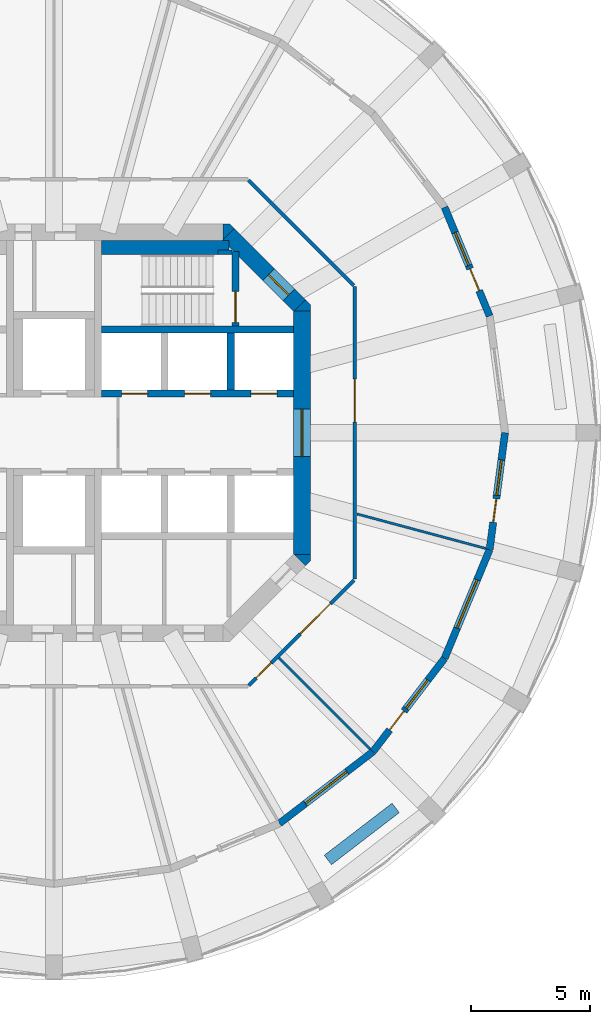
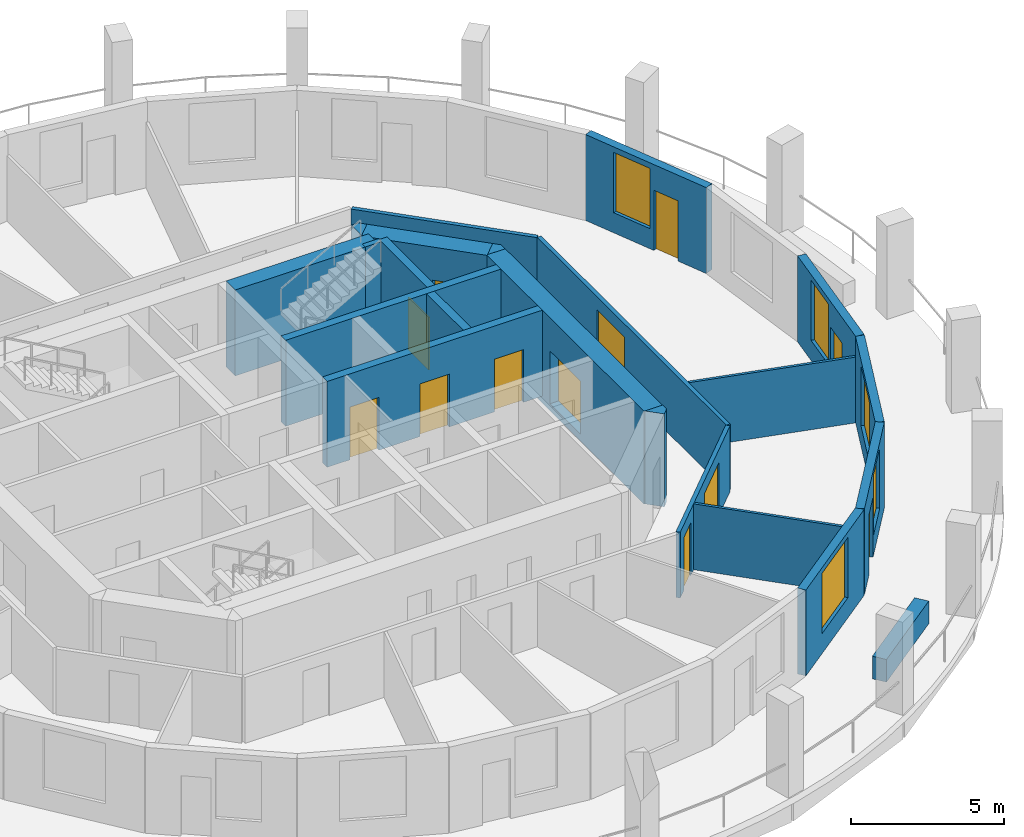
# One storey, part 5 of 9: 22 walls, 12 doors, 5 windows, 17 openings.
"""IFC4 building model written with IfcOpenShell, lengths in metres."""

from ifc_helpers import new_model, si_unit, direction, frame, frame_2d, origin, place, context, subcontext, project, spatial, polyline, rectangle, outline, extrude, material, layer, layer_set, type_object, element, fill, save


model = new_model("IFC4")

# Units and contexts
model_context = context("Model", 3, precision=1e-05, world=origin(), true_north=direction((0.0, 1.0)))
body_context = subcontext(model_context, "Body", "Model", "MODEL_VIEW")
ifc_project = project(units=[si_unit("LENGTHUNIT", "METRE"), si_unit("AREAUNIT", "SQUARE_METRE"), si_unit("VOLUMEUNIT", "CUBIC_METRE"), si_unit("PLANEANGLEUNIT", "RADIAN"), si_unit("MASSUNIT", "GRAM", prefix="KILO")], contexts=[model_context])

# Site, building, storey
site_placement = place(None, origin())
site = spatial("IfcSite", under=ifc_project, at=site_placement, CompositionType="ELEMENT")
building_placement = place(site_placement, origin())
building = spatial("IfcBuilding", under=site, at=building_placement, Name="Torre Triforio", CompositionType="ELEMENT")
storey_placement = place(building_placement, frame((0.0, 0.0, 176.39990234375)))
storey = spatial("IfcBuildingStorey", under=building, at=storey_placement, Name="L40", CompositionType="ELEMENT", Elevation=176.39990234375)

# Wall, opening, door
ifc_material_1 = material(Name="Concrete C50", Category="concrete")
ifc_layer_1 = layer(ifc_material_1, 0.699951171875)
ifc_layer_set_1 = layer_set([ifc_layer_1], Name="Concrete C50")
wall_type_1 = type_object("IfcWallType", Name="Core wall 700 mm C50 EI 120", PredefinedType="SHEAR", material=ifc_layer_set_1)
wall_1_placement = place(storey_placement, frame((10.449951171875, -5.1298828125, -0.27978515625), z_axis=(0.0, 0.0, 1.0), x_axis=(0.0, 1.0, 0.0)))
wall_1 = element("IfcWall", 1, at=wall_1_placement, inside=storey, type_object=wall_type_1, Name="Core wall", PredefinedType="SHEAR", context=body_context, shape_type="SweptSolid", body=[
    extrude(rectangle(XDim=10.259765625, YDim=0.699951171875, at=frame_2d((5.1298828125, 0.0))), origin(), (0.0, 0.0, 1.0), 3.699951171875),
])
opening_1_placement = place(wall_1_placement, frame((4.1298828125, 0.0, 0.280029296875)))
opening_1 = element("IfcOpeningElement", 2, at=opening_1_placement, cuts=wall_1, Name="Opening E-RING", PredefinedType="OPENING", context=body_context, shape_type="SweptSolid", body=[
    extrude(rectangle(XDim=2.0, YDim=2.10009765625, at=frame_2d((1.0, 1.050048828125))), frame((0.0, 0.35986328125, 0.0), z_axis=(0.0, -1.0, 0.0), x_axis=(1.0, 0.0, 0.0)), (0.0, 0.0, 1.0), 0.719970703125),
])
ifc_material_2 = material(Name="Hollow metal fire door leaf")
door_type_1 = type_object("IfcDoorType", Name="Lobby door 2000 x 2100 EI 60", OperationType="DOUBLE_DOOR_SINGLE_SWING", PredefinedType="DOOR", material=ifc_material_2)
door_1_placement = place(opening_1_placement, origin())
door_1 = element("IfcDoor", 3, at=door_1_placement, inside=storey, type_object=door_type_1, Name="Core door E-RING", OperationType="DOUBLE_DOOR_SINGLE_SWING", OverallHeight=2.10009765625, OverallWidth=2.0, PredefinedType="DOOR", context=body_context, shape_type="SweptSolid", body=[
    extrude(rectangle(XDim=2.0, YDim=2.10009765625, at=frame_2d((1.0, 1.050048828125))), frame((0.0, 0.02490234375, 0.0), z_axis=(0.0, -1.0, 0.0), x_axis=(1.0, 0.0, 0.0)), (0.0, 0.0, 1.0), 0.050048828125),
])
fill(opening_1, door_1)

wall_2_placement = place(storey_placement, frame((7.347412109375, 8.347412109375, -0.27978515625), z_axis=(0.0, 0.0, 1.0), x_axis=(0.707106781187, -0.707106781187, 0.0)))
wall_2 = element("IfcWall", 4, at=wall_2_placement, inside=storey, type_object=wall_type_1, Name="Core wall", PredefinedType="SHEAR", context=body_context, shape_type="SweptSolid", body=[
    extrude(rectangle(XDim=4.24267578125, YDim=0.699951171875, at=frame_2d((2.121337890625, 0.0))), origin(), (0.0, 0.0, 1.0), 3.699951171875),
])
opening_2_placement = place(wall_2_placement, frame((2.392578125, 0.0, 0.280029296875)))
opening_2 = element("IfcOpeningElement", 5, at=opening_2_placement, cuts=wall_2, Name="Opening ST2-EXIT", PredefinedType="OPENING", context=body_context, shape_type="SweptSolid", body=[
    extrude(rectangle(XDim=1.199951171875, YDim=2.10009765625, at=frame_2d((0.60009765625, 1.050048828125))), frame((0.0, 0.35986328125, 0.0), z_axis=(0.0, -1.0, 0.0), x_axis=(1.0, 0.0, 0.0)), (0.0, 0.0, 1.0), 0.719970703125),
])
door_type_2 = type_object("IfcDoorType", Name="Stair lobby door 1200 x 2100 EI 60", OperationType="NOTDEFINED", PredefinedType="DOOR", material=ifc_material_2)
door_2_placement = place(opening_2_placement, origin())
door_2 = element("IfcDoor", 6, at=door_2_placement, inside=storey, type_object=door_type_2, Name="Core door ST2-EXIT", OperationType="SINGLE_SWING_RIGHT", OverallHeight=2.10009765625, OverallWidth=1.199951171875, PredefinedType="DOOR", context=body_context, shape_type="SweptSolid", body=[
    extrude(rectangle(XDim=1.199951171875, YDim=2.10009765625, at=frame_2d((0.60009765625, 1.050048828125))), frame((0.0, 0.02490234375, 0.0), z_axis=(0.0, -1.0, 0.0), x_axis=(1.0, 0.0, 0.0)), (0.0, 0.0, 1.0), 0.050048828125),
])
fill(opening_2, door_2)

# Walls
wall_3_placement = place(storey_placement, frame((0.0, 0.0, -0.27978515625)))
element("IfcWall", 7, at=wall_3_placement, inside=storey, type_object=wall_type_1, Name="Core wall", PredefinedType="SHEAR", context=body_context, shape_type="SweptSolid", body=[
    extrude(outline(polyline([(10.800048828125, -5.389892578125), (10.594970703125, -5.594970703125), (10.594970703125, -5.594970703125), (10.594970703125, -5.594970703125), (10.1298828125, -5.1298828125), (10.800048828125, -5.1298828125), (10.800048828125, -5.1298828125), (10.800048828125, -5.389892578125)])), origin(), (0.0, 0.0, 1.0), 3.699951171875),
])
wall_4_placement = place(storey_placement, frame((0.0, 0.0, -0.27978515625)))
element("IfcWall", 8, at=wall_4_placement, inside=storey, type_object=wall_type_1, Name="Core wall", PredefinedType="SHEAR", context=body_context, shape_type="SweptSolid", body=[
    extrude(outline(polyline([(10.800048828125, 5.389892578125), (10.800048828125, 5.1298828125), (10.800048828125, 5.1298828125), (10.1298828125, 5.1298828125), (10.594970703125, 5.594970703125), (10.594970703125, 5.594970703125), (10.594970703125, 5.594970703125), (10.800048828125, 5.389892578125)])), origin(), (0.0, 0.0, 1.0), 3.699951171875),
])
wall_5_placement = place(storey_placement, frame((0.0, 0.0, -0.27978515625)))
element("IfcWall", 9, at=wall_5_placement, inside=storey, type_object=wall_type_1, Name="Core wall", PredefinedType="SHEAR", context=body_context, shape_type="SweptSolid", body=[
    extrude(outline(polyline([(7.389892578125, 8.800048828125), (7.594970703125, 8.594970703125), (7.594970703125, 8.594970703125), (7.594970703125, 8.594970703125), (7.1298828125, 8.1298828125), (7.1298828125, 8.800048828125), (7.1298828125, 8.800048828125), (7.389892578125, 8.800048828125)])), origin(), (0.0, 0.0, 1.0), 3.699951171875),
])

# Wall, openings, doors
ifc_material_3 = material(Name="Plasterboard on metal studs")
ifc_layer_2 = layer(ifc_material_3, 0.14990234375)
ifc_layer_set_2 = layer_set([ifc_layer_2], Name="Plasterboard on metal studs")
wall_type_2 = type_object("IfcWallType", Name="Corridor and tenancy wall 150 mm EI 60", PredefinedType="PARTITIONING", material=ifc_layer_set_2)
wall_6_placement = place(storey_placement, frame((12.637939453125, -6.20361328125, 0.0), z_axis=(0.0, 0.0, 1.0), x_axis=(-0.707106781187, -0.707106781187, 0.0)))
wall_6 = element("IfcWall", 10, at=wall_6_placement, inside=storey, type_object=wall_type_2, Name="Partition 1", PredefinedType="PARTITIONING", context=body_context, shape_type="SweptSolid", body=[
    extrude(rectangle(XDim=6.27099609375, YDim=0.14990234375, at=frame_2d((3.135498046875, 0.0))), origin(), (0.0, 0.0, 1.0), 2.6201171875),
])
opening_3_placement = place(wall_6_placement, frame((4.935302734375, 0.0, 0.0)))
opening_3 = element("IfcOpeningElement", 11, at=opening_3_placement, cuts=wall_6, Name="Opening O3-08", PredefinedType="OPENING", context=body_context, shape_type="SweptSolid", body=[
    extrude(rectangle(XDim=0.89990234375, YDim=2.10009765625, at=frame_2d((0.449951171875, 1.050048828125))), frame((0.0, 0.0849609375, 0.0), z_axis=(0.0, -1.0, 0.0), x_axis=(1.0, 0.0, 0.0)), (0.0, 0.0, 1.0), 0.169921875),
])
opening_4_placement = place(wall_6_placement, frame((1.39990234375, 0.0, 0.0)))
opening_4 = element("IfcOpeningElement", 12, at=opening_4_placement, cuts=wall_6, Name="Opening O3-09", PredefinedType="OPENING", context=body_context, shape_type="SweptSolid", body=[
    extrude(rectangle(XDim=1.800048828125, YDim=2.10009765625, at=frame_2d((0.89990234375, 1.050048828125))), frame((0.0, 0.0849609375, 0.0), z_axis=(0.0, -1.0, 0.0), x_axis=(1.0, 0.0, 0.0)), (0.0, 0.0, 1.0), 0.169921875),
])
ifc_material_4 = material(Name="Timber", Category="wood")
door_type_3 = type_object("IfcDoorType", Name="Door 1800 x 2100 double leaf EI 30", OperationType="DOUBLE_DOOR_SINGLE_SWING", PredefinedType="DOOR", material=ifc_material_4)
door_3_placement = place(opening_4_placement, origin())
door_3 = element("IfcDoor", 13, at=door_3_placement, inside=storey, type_object=door_type_3, Name="Door O3-09", OperationType="DOUBLE_DOOR_SINGLE_SWING", OverallHeight=2.10009765625, OverallWidth=1.800048828125, PredefinedType="DOOR", context=body_context, shape_type="SweptSolid", body=[
    extrude(rectangle(XDim=1.800048828125, YDim=2.10009765625, at=frame_2d((0.89990234375, 1.050048828125))), frame((0.0, 0.02490234375, 0.0), z_axis=(0.0, -1.0, 0.0), x_axis=(1.0, 0.0, 0.0)), (0.0, 0.0, 1.0), 0.050048828125),
])
fill(opening_4, door_3)
door_type_4 = type_object("IfcDoorType", Name="Door 900 x 2100 single leaf EI 30", OperationType="NOTDEFINED", PredefinedType="DOOR", material=ifc_material_4)
door_4_placement = place(opening_3_placement, origin())
door_4 = element("IfcDoor", 14, at=door_4_placement, inside=storey, type_object=door_type_4, Name="Door O3-08", OperationType="SINGLE_SWING_LEFT", OverallHeight=2.10009765625, OverallWidth=0.89990234375, PredefinedType="DOOR", context=body_context, shape_type="SweptSolid", body=[
    extrude(rectangle(XDim=0.89990234375, YDim=2.10009765625, at=frame_2d((0.449951171875, 1.050048828125))), frame((0.0, 0.02490234375, 0.0), z_axis=(0.0, -1.0, 0.0), x_axis=(1.0, 0.0, 0.0)), (0.0, 0.0, 1.0), 0.050048828125),
])
fill(opening_3, door_4)

# Wall
wall_7_placement = place(storey_placement, frame((8.20361328125, 10.637939453125, 0.0), z_axis=(0.0, 0.0, 1.0), x_axis=(0.707106781187, -0.707106781187, 0.0)))
element("IfcWall", 15, at=wall_7_placement, inside=storey, type_object=wall_type_2, Name="Partition 7", PredefinedType="PARTITIONING", context=body_context, shape_type="SweptSolid", body=[
    extrude(rectangle(XDim=6.27099609375, YDim=0.14990234375, at=frame_2d((3.135498046875, 0.0))), origin(), (0.0, 0.0, 1.0), 2.6201171875),
])

# Wall, opening, door
wall_8_placement = place(storey_placement, frame((12.675048828125, 6.16650390625, 0.0), z_axis=(0.0, 0.0, 1.0), x_axis=(0.0, -1.0, 0.0)))
wall_8 = element("IfcWall", 16, at=wall_8_placement, inside=storey, type_object=wall_type_2, Name="Partition 8", PredefinedType="PARTITIONING", context=body_context, shape_type="SweptSolid", body=[
    extrude(rectangle(XDim=12.3330078125, YDim=0.14990234375, at=frame_2d((6.16650390625, 0.0))), origin(), (0.0, 0.0, 1.0), 2.6201171875),
])
opening_5_placement = place(wall_8_placement, frame((3.9072265625, 0.0, 0.0)))
opening_5 = element("IfcOpeningElement", 17, at=opening_5_placement, cuts=wall_8, Name="Opening O3-10", PredefinedType="OPENING", context=body_context, shape_type="SweptSolid", body=[
    extrude(rectangle(XDim=1.800048828125, YDim=2.10009765625, at=frame_2d((0.89990234375, 1.050048828125))), frame((0.0, 0.0849609375, 0.0), z_axis=(0.0, -1.0, 0.0), x_axis=(1.0, 0.0, 0.0)), (0.0, 0.0, 1.0), 0.169921875),
])
door_5_placement = place(opening_5_placement, origin())
door_5 = element("IfcDoor", 18, at=door_5_placement, inside=storey, type_object=door_type_3, Name="Door O3-10", OperationType="DOUBLE_DOOR_SINGLE_SWING", OverallHeight=2.10009765625, OverallWidth=1.800048828125, PredefinedType="DOOR", context=body_context, shape_type="SweptSolid", body=[
    extrude(rectangle(XDim=1.800048828125, YDim=2.10009765625, at=frame_2d((0.89990234375, 1.050048828125))), frame((0.0, 0.02490234375, 0.0), z_axis=(0.0, -1.0, 0.0), x_axis=(1.0, 0.0, 0.0)), (0.0, 0.0, 1.0), 0.050048828125),
])
fill(opening_5, door_5)

# Walls
ifc_layer_3 = layer(ifc_material_3, 0.10009765625)
ifc_layer_set_3 = layer_set([ifc_layer_3], Name="Plasterboard on metal studs")
wall_type_3 = type_object("IfcWallType", Name="Partition 100 mm board on metal studs", PredefinedType="PARTITIONING", material=ifc_layer_set_3)
wall_9_placement = place(storey_placement, frame((9.473876953125, -9.473876953125, 0.0), z_axis=(0.0, 0.0, 1.0), x_axis=(0.707106781187, -0.707106781187, 0.0)))
element("IfcWall", 19, at=wall_9_placement, inside=storey, type_object=wall_type_3, Name="Partition 22", PredefinedType="PARTITIONING", context=body_context, shape_type="SweptSolid", body=[
    extrude(rectangle(XDim=5.438720703125, YDim=0.10009765625, at=frame_2d((2.71923828125, 0.0))), origin(), (0.0, 0.0, 1.0), 2.6201171875),
])
wall_10_placement = place(storey_placement, frame((12.764404296875, -3.420166015625, 0.0), z_axis=(0.0, 0.0, 1.0), x_axis=(0.965925759926, -0.258819292773, 0.0)))
element("IfcWall", 20, at=wall_10_placement, inside=storey, type_object=wall_type_3, Name="Partition 23", PredefinedType="PARTITIONING", context=body_context, shape_type="SweptSolid", body=[
    extrude(rectangle(XDim=5.6220703125, YDim=0.10009765625, at=frame_2d((2.81103515625, 0.0))), origin(), (0.0, 0.0, 1.0), 2.6201171875),
])
ifc_material_5 = material(Name="Limestone cladding", Category="masonry")
ifc_layer_4 = layer(ifc_material_5, 0.10009765625)
ifc_material_6 = material(Name="Concrete C40", Category="concrete")
ifc_layer_5 = layer(ifc_material_6, 0.39990234375)
ifc_layer_set_4 = layer_set([ifc_layer_4, ifc_layer_5], Name="Limestone cladding / Concrete C40")
wall_type_4 = type_object("IfcWallType", Name="Planter wall 500", PredefinedType="PARAPET", material=ifc_layer_set_4)
wall_11_placement = place(storey_placement, frame((11.53857421875, -17.994140625, 0.0), z_axis=(0.0, 0.0, 1.0), x_axis=(0.793384730612, 0.608720518162, 0.0)))
element("IfcWall", 21, at=wall_11_placement, inside=storey, type_object=wall_type_4, Name="Planter L40 bay 21", PredefinedType="PARAPET", context=body_context, shape_type="SweptSolid", body=[
    extrude(rectangle(XDim=3.60009765625, YDim=0.5, at=frame_2d((1.800048828125, 0.0))), origin(), (0.0, 0.0, 1.0), 0.900146484375),
])
ifc_layer_6 = layer(ifc_material_1, 0.300048828125)
ifc_layer_set_5 = layer_set([ifc_layer_6], Name="Concrete C50")
wall_type_5 = type_object("IfcWallType", Name="Shaft wall 300 mm C50 EI 120", PredefinedType="SOLIDWALL", material=ifc_layer_set_5)
wall_12_placement = place(storey_placement, frame((2.0, 4.35009765625, 0.0), z_axis=(0.0, 0.0, 1.0), x_axis=(1.0, 0.0, 0.0)))
element("IfcWall", 22, at=wall_12_placement, inside=storey, type_object=wall_type_5, Name="Shaft wall", PredefinedType="SOLIDWALL", context=body_context, shape_type="SweptSolid", body=[
    extrude(rectangle(XDim=8.10009765625, YDim=0.300048828125, at=frame_2d((4.050048828125, 0.0))), origin(), (0.0, 0.0, 1.0), 3.420166015625),
])

# Wall, openings, doors
wall_13_placement = place(storey_placement, frame((2.0, 1.64990234375, 0.0), z_axis=(0.0, 0.0, 1.0), x_axis=(1.0, 0.0, 0.0)))
wall_13 = element("IfcWall", 23, at=wall_13_placement, inside=storey, type_object=wall_type_5, Name="Shaft wall", PredefinedType="SOLIDWALL", context=body_context, shape_type="SweptSolid", body=[
    extrude(rectangle(XDim=8.10009765625, YDim=0.300048828125, at=frame_2d((4.050048828125, 0.0))), origin(), (0.0, 0.0, 1.0), 3.420166015625),
])
opening_6_placement = place(wall_13_placement, frame((0.85009765625, 0.0, 0.0)))
opening_6 = element("IfcOpeningElement", 24, at=opening_6_placement, cuts=wall_13, Name="Opening LD", PredefinedType="OPENING", context=body_context, shape_type="SweptSolid", body=[
    extrude(rectangle(XDim=1.10009765625, YDim=2.10009765625, at=frame_2d((0.550048828125, 1.050048828125))), frame((0.0, 0.159912109375, 0.0), z_axis=(0.0, -1.0, 0.0), x_axis=(1.0, 0.0, 0.0)), (0.0, 0.0, 1.0), 0.320068359375),
])
opening_7_placement = place(wall_13_placement, frame((3.5, 0.0, 0.0)))
opening_7 = element("IfcOpeningElement", 25, at=opening_7_placement, cuts=wall_13, Name="Opening LD", PredefinedType="OPENING", context=body_context, shape_type="SweptSolid", body=[
    extrude(rectangle(XDim=1.10009765625, YDim=2.10009765625, at=frame_2d((0.550048828125, 1.050048828125))), frame((0.0, 0.159912109375, 0.0), z_axis=(0.0, -1.0, 0.0), x_axis=(1.0, 0.0, 0.0)), (0.0, 0.0, 1.0), 0.320068359375),
])
opening_8_placement = place(wall_13_placement, frame((6.300048828125, 0.0, 0.0)))
opening_8 = element("IfcOpeningElement", 26, at=opening_8_placement, cuts=wall_13, Name="Opening LD", PredefinedType="OPENING", context=body_context, shape_type="SweptSolid", body=[
    extrude(rectangle(XDim=1.10009765625, YDim=2.10009765625, at=frame_2d((0.550048828125, 1.050048828125))), frame((0.0, 0.159912109375, 0.0), z_axis=(0.0, -1.0, 0.0), x_axis=(1.0, 0.0, 0.0)), (0.0, 0.0, 1.0), 0.320068359375),
])
door_type_5 = type_object("IfcDoorType", Name="Landing door 1100 x 2100 EI 60", OperationType="DOUBLE_DOOR_SLIDING", PredefinedType="DOOR", material=ifc_material_2)
door_6_placement = place(opening_6_placement, origin())
door_6 = element("IfcDoor", 27, at=door_6_placement, inside=storey, type_object=door_type_5, Name="Landing door HR1", OperationType="DOUBLE_DOOR_SLIDING", OverallHeight=2.10009765625, OverallWidth=1.10009765625, PredefinedType="DOOR", context=body_context, shape_type="SweptSolid", body=[
    extrude(rectangle(XDim=1.10009765625, YDim=2.10009765625, at=frame_2d((0.550048828125, 1.050048828125))), frame((0.0, 0.02490234375, 0.0), z_axis=(0.0, -1.0, 0.0), x_axis=(1.0, 0.0, 0.0)), (0.0, 0.0, 1.0), 0.050048828125),
])
fill(opening_6, door_6)
door_7_placement = place(opening_7_placement, origin())
door_7 = element("IfcDoor", 28, at=door_7_placement, inside=storey, type_object=door_type_5, Name="Landing door HR2", OperationType="DOUBLE_DOOR_SLIDING", OverallHeight=2.10009765625, OverallWidth=1.10009765625, PredefinedType="DOOR", context=body_context, shape_type="SweptSolid", body=[
    extrude(rectangle(XDim=1.10009765625, YDim=2.10009765625, at=frame_2d((0.550048828125, 1.050048828125))), frame((0.0, 0.02490234375, 0.0), z_axis=(0.0, -1.0, 0.0), x_axis=(1.0, 0.0, 0.0)), (0.0, 0.0, 1.0), 0.050048828125),
])
fill(opening_7, door_7)
door_8_placement = place(opening_8_placement, origin())
door_8 = element("IfcDoor", 29, at=door_8_placement, inside=storey, type_object=door_type_5, Name="Landing door HR3", OperationType="DOUBLE_DOOR_SLIDING", OverallHeight=2.10009765625, OverallWidth=1.10009765625, PredefinedType="DOOR", context=body_context, shape_type="SweptSolid", body=[
    extrude(rectangle(XDim=1.10009765625, YDim=2.10009765625, at=frame_2d((0.550048828125, 1.050048828125))), frame((0.0, 0.02490234375, 0.0), z_axis=(0.0, -1.0, 0.0), x_axis=(1.0, 0.0, 0.0)), (0.0, 0.0, 1.0), 0.050048828125),
])
fill(opening_8, door_8)

# Walls
wall_14_placement = place(storey_placement, frame((7.449951171875, 1.800048828125, 0.0), z_axis=(0.0, 0.0, 1.0), x_axis=(0.0, 1.0, 0.0)))
element("IfcWall", 30, at=wall_14_placement, inside=storey, type_object=wall_type_5, Name="Shaft wall", PredefinedType="SOLIDWALL", context=body_context, shape_type="SweptSolid", body=[
    extrude(rectangle(XDim=2.39990234375, YDim=0.300048828125, at=frame_2d((1.199951171875, 0.0))), origin(), (0.0, 0.0, 1.0), 3.420166015625),
])
ifc_layer_7 = layer(ifc_material_1, 0.199951171875)
ifc_layer_set_6 = layer_set([ifc_layer_7], Name="Concrete C50")
wall_type_6 = type_object("IfcWallType", Name="Stair wall 200 mm C50 EI 120", PredefinedType="SHEAR", material=ifc_layer_set_6)
wall_15_placement = place(storey_placement, frame((6.89990234375, 7.60009765625, 0.0), z_axis=(0.0, 0.0, 1.0), x_axis=(1.0, 0.0, 0.0)))
element("IfcWall", 31, at=wall_15_placement, inside=storey, type_object=wall_type_6, Name="Stair wall", PredefinedType="SHEAR", context=body_context, shape_type="SweptSolid", body=[
    extrude(rectangle(XDim=0.60009765625, YDim=0.199951171875, at=frame_2d((0.300048828125, 0.0))), origin(), (0.0, 0.0, 1.0), 3.420166015625),
])

# Wall, opening, door
ifc_layer_8 = layer(ifc_material_1, 0.300048828125)
ifc_layer_set_7 = layer_set([ifc_layer_8], Name="Concrete C50")
wall_type_7 = type_object("IfcWallType", Name="Stair wall 300 mm C50 EI 120", PredefinedType="SHEAR", material=ifc_layer_set_7)
wall_16_placement = place(storey_placement, frame((7.64990234375, 4.5, 0.0), z_axis=(0.0, 0.0, 1.0), x_axis=(0.0, 1.0, 0.0)))
wall_16 = element("IfcWall", 32, at=wall_16_placement, inside=storey, type_object=wall_type_7, Name="Stair wall", PredefinedType="SHEAR", context=body_context, shape_type="SweptSolid", body=[
    extrude(rectangle(XDim=3.139892578125, YDim=0.300048828125, at=frame_2d((1.56982421875, 0.0))), origin(), (0.0, 0.0, 1.0), 3.420166015625),
])
opening_9_placement = place(wall_16_placement, frame((0.139892578125, 0.0, 0.0)))
opening_9 = element("IfcOpeningElement", 33, at=opening_9_placement, cuts=wall_16, Name="Opening ST2-STA", PredefinedType="OPENING", context=body_context, shape_type="SweptSolid", body=[
    extrude(rectangle(XDim=1.320068359375, YDim=2.10009765625, at=frame_2d((0.66015625, 1.050048828125))), frame((0.0, 0.159912109375, 0.0), z_axis=(0.0, -1.0, 0.0), x_axis=(1.0, 0.0, 0.0)), (0.0, 0.0, 1.0), 0.320068359375),
])
door_type_6 = type_object("IfcDoorType", Name="Stair door 1320 x 2100 EI 90", OperationType="DOUBLE_DOOR_SINGLE_SWING", PredefinedType="DOOR", material=ifc_material_2)
door_9_placement = place(opening_9_placement, origin())
door_9 = element("IfcDoor", 34, at=door_9_placement, inside=storey, type_object=door_type_6, Name="Core door ST2-ST", OperationType="DOUBLE_DOOR_SINGLE_SWING", OverallHeight=2.10009765625, OverallWidth=1.320068359375, PredefinedType="DOOR", context=body_context, shape_type="SweptSolid", body=[
    extrude(rectangle(XDim=1.320068359375, YDim=2.10009765625, at=frame_2d((0.66015625, 1.050048828125))), frame((0.0, 0.02490234375, 0.0), z_axis=(0.0, -1.0, 0.0), x_axis=(1.0, 0.0, 0.0)), (0.0, 0.0, 1.0), 0.050048828125),
])
fill(opening_9, door_9)

# Wall
ifc_layer_9 = layer(ifc_material_1, 0.60009765625)
ifc_layer_set_8 = layer_set([ifc_layer_9], Name="Concrete C50")
wall_type_8 = type_object("IfcWallType", Name="Stair wall 600 mm C50 EI 120", PredefinedType="SHEAR", material=ifc_layer_set_8)
wall_17_placement = place(storey_placement, frame((2.0, 7.800048828125, 0.0), z_axis=(0.0, 0.0, 1.0), x_axis=(1.0, 0.0, 0.0)))
element("IfcWall", 35, at=wall_17_placement, inside=storey, type_object=wall_type_8, Name="Stair wall", PredefinedType="SHEAR", context=body_context, shape_type="SweptSolid", body=[
    extrude(rectangle(XDim=5.3701171875, YDim=0.60009765625, at=frame_2d((2.68505859375, 0.0))), origin(), (0.0, 0.0, 1.0), 3.420166015625),
])

# Wall, openings, door, window
ifc_layer_10 = layer(ifc_material_5, 0.10009765625)
ifc_layer_11 = layer(ifc_material_6, 0.199951171875)
ifc_layer_set_9 = layer_set([ifc_layer_10, ifc_layer_11], Name="Limestone cladding / Concrete C40")
wall_type_9 = type_object("IfcWallType", Name="Stone-faced composite wall 300", PredefinedType="STANDARD", material=ifc_layer_set_9)
wall_18_placement = place(storey_placement, frame((18.3525390625, 4.91748046875, 0.0), z_axis=(0.0, 0.0, 1.0), x_axis=(-0.382650301762, 0.923893254961, 0.0)))
wall_18 = element("IfcWall", 36, at=wall_18_placement, inside=storey, type_object=wall_type_9, Name="External wall L40 bay 02", PredefinedType="STANDARD", context=body_context, shape_type="SweptSolid", body=[
    extrude(rectangle(XDim=4.9599609375, YDim=0.300048828125, at=frame_2d((2.47998046875, 0.0))), origin(), (0.0, 0.0, 1.0), 3.420166015625),
])
opening_10_placement = place(wall_18_placement, frame((1.155029296875, 0.0, 0.0)))
opening_10 = element("IfcOpeningElement", 37, at=opening_10_placement, cuts=wall_18, Name="Opening O3-D02", PredefinedType="OPENING", context=body_context, shape_type="SweptSolid", body=[
    extrude(rectangle(XDim=1.0, YDim=2.39990234375, at=frame_2d((0.5, 1.199951171875))), frame((0.0, 0.159912109375, 0.0), z_axis=(0.0, -1.0, 0.0), x_axis=(1.0, 0.0, 0.0)), (0.0, 0.0, 1.0), 0.320068359375),
])
opening_11_placement = place(wall_18_placement, frame((2.304931640625, 0.0, 0.800048828125)))
opening_11 = element("IfcOpeningElement", 38, at=opening_11_placement, cuts=wall_18, Name="Opening O3-W02A", PredefinedType="OPENING", context=body_context, shape_type="SweptSolid", body=[
    extrude(rectangle(XDim=1.5, YDim=2.39990234375, at=frame_2d((0.75, 1.199951171875))), frame((0.0, 0.159912109375, 0.0), z_axis=(0.0, -1.0, 0.0), x_axis=(1.0, 0.0, 0.0)), (0.0, 0.0, 1.0), 0.320068359375),
])
ifc_material_7 = material(Name="Aluminium frame with clear double glazing", Category="aluminium")
door_type_7 = type_object("IfcDoorType", Name="Loggia door 1000 x 2400", OperationType="NOTDEFINED", PredefinedType="DOOR", material=ifc_material_7)
door_10_placement = place(opening_10_placement, origin())
door_10 = element("IfcDoor", 39, at=door_10_placement, inside=storey, type_object=door_type_7, Name="Loggia door L40 bay 02", OperationType="SINGLE_SWING_LEFT", OverallHeight=2.39990234375, OverallWidth=1.0, PredefinedType="DOOR", context=body_context, shape_type="SweptSolid", body=[
    extrude(rectangle(XDim=1.0, YDim=2.39990234375, at=frame_2d((0.5, 1.199951171875))), frame((0.0, 0.02490234375, 0.0), z_axis=(0.0, -1.0, 0.0), x_axis=(1.0, 0.0, 0.0)), (0.0, 0.0, 1.0), 0.050048828125),
])
fill(opening_10, door_10)
window_type_1 = type_object("IfcWindowType", Name="Side window 1500 x 2400", PartitioningType="SINGLE_PANEL", PredefinedType="WINDOW", material=ifc_material_7)
window_1_placement = place(opening_11_placement, origin())
window_1 = element("IfcWindow", 40, at=window_1_placement, inside=storey, type_object=window_type_1, Name="Side window EWN14 L40 bay 02", OverallHeight=2.39990234375, OverallWidth=1.5, PartitioningType="SINGLE_PANEL", PredefinedType="WINDOW", context=body_context, shape_type="SweptSolid", body=[
    extrude(rectangle(XDim=1.5, YDim=2.39990234375, at=frame_2d((0.75, 1.199951171875))), frame((0.0, 0.030029296875, 0.0), z_axis=(0.0, -1.0, 0.0), x_axis=(1.0, 0.0, 0.0)), (0.0, 0.0, 1.0), 0.06005859375),
])
fill(opening_11, window_1)

# Wall, opening, window
wall_19_placement = place(storey_placement, frame((9.5, -16.45458984375, 0.0), z_axis=(0.0, 0.0, 1.0), x_axis=(0.793348024649, 0.608768356425, 0.0)))
wall_19 = element("IfcWall", 41, at=wall_19_placement, inside=storey, type_object=wall_type_9, Name="External wall L40 bay 21", PredefinedType="STANDARD", context=body_context, shape_type="SweptSolid", body=[
    extrude(rectangle(XDim=4.9599609375, YDim=0.300048828125, at=frame_2d((2.47998046875, 0.0))), origin(), (0.0, 0.0, 1.0), 3.420166015625),
])
opening_12_placement = place(wall_19_placement, frame((1.3798828125, 0.0, 0.800048828125)))
opening_12 = element("IfcOpeningElement", 42, at=opening_12_placement, cuts=wall_19, Name="Opening O3-W21", PredefinedType="OPENING", context=body_context, shape_type="SweptSolid", body=[
    extrude(rectangle(XDim=2.199951171875, YDim=2.39990234375, at=frame_2d((1.10009765625, 1.199951171875))), frame((0.0, 0.159912109375, 0.0), z_axis=(0.0, -1.0, 0.0), x_axis=(1.0, 0.0, 0.0)), (0.0, 0.0, 1.0), 0.320068359375),
])
window_type_2 = type_object("IfcWindowType", Name="Punched window 2200 x 2400", PartitioningType="DOUBLE_PANEL_VERTICAL", PredefinedType="WINDOW", material=ifc_material_7)
window_2_placement = place(opening_12_placement, origin())
window_2 = element("IfcWindow", 43, at=window_2_placement, inside=storey, type_object=window_type_2, Name="Window EWN5 L40 bay 21", OverallHeight=2.39990234375, OverallWidth=2.199951171875, PartitioningType="SINGLE_PANEL", PredefinedType="WINDOW", context=body_context, shape_type="SweptSolid", body=[
    extrude(rectangle(XDim=2.199951171875, YDim=2.39990234375, at=frame_2d((1.10009765625, 1.199951171875))), frame((0.0, 0.030029296875, 0.0), z_axis=(0.0, -1.0, 0.0), x_axis=(1.0, 0.0, 0.0)), (0.0, 0.0, 1.0), 0.06005859375),
])
fill(opening_12, window_2)

# Wall, openings, door, window
wall_20_placement = place(storey_placement, frame((13.43505859375, -13.43505859375, 0.0), z_axis=(0.0, 0.0, 1.0), x_axis=(0.608768356425, 0.793348024649, 0.0)))
wall_20 = element("IfcWall", 44, at=wall_20_placement, inside=storey, type_object=wall_type_9, Name="External wall L40 bay 22", PredefinedType="STANDARD", context=body_context, shape_type="SweptSolid", body=[
    extrude(rectangle(XDim=4.9599609375, YDim=0.300048828125, at=frame_2d((2.47998046875, 0.0))), origin(), (0.0, 0.0, 1.0), 3.420166015625),
])
opening_13_placement = place(wall_20_placement, frame((1.155029296875, 0.0, 0.0)))
opening_13 = element("IfcOpeningElement", 45, at=opening_13_placement, cuts=wall_20, Name="Opening O3-D22", PredefinedType="OPENING", context=body_context, shape_type="SweptSolid", body=[
    extrude(rectangle(XDim=1.0, YDim=2.39990234375, at=frame_2d((0.5, 1.199951171875))), frame((0.0, 0.159912109375, 0.0), z_axis=(0.0, -1.0, 0.0), x_axis=(1.0, 0.0, 0.0)), (0.0, 0.0, 1.0), 0.320068359375),
])
opening_14_placement = place(wall_20_placement, frame((2.304931640625, 0.0, 0.800048828125)))
opening_14 = element("IfcOpeningElement", 46, at=opening_14_placement, cuts=wall_20, Name="Opening O3-W22A", PredefinedType="OPENING", context=body_context, shape_type="SweptSolid", body=[
    extrude(rectangle(XDim=1.5, YDim=2.39990234375, at=frame_2d((0.75, 1.199951171875))), frame((0.0, 0.159912109375, 0.0), z_axis=(0.0, -1.0, 0.0), x_axis=(1.0, 0.0, 0.0)), (0.0, 0.0, 1.0), 0.320068359375),
])
door_11_placement = place(opening_13_placement, origin())
door_11 = element("IfcDoor", 47, at=door_11_placement, inside=storey, type_object=door_type_7, Name="Loggia door L40 bay 22", OperationType="SINGLE_SWING_LEFT", OverallHeight=2.39990234375, OverallWidth=1.0, PredefinedType="DOOR", context=body_context, shape_type="SweptSolid", body=[
    extrude(rectangle(XDim=1.0, YDim=2.39990234375, at=frame_2d((0.5, 1.199951171875))), frame((0.0, 0.02490234375, 0.0), z_axis=(0.0, -1.0, 0.0), x_axis=(1.0, 0.0, 0.0)), (0.0, 0.0, 1.0), 0.050048828125),
])
fill(opening_13, door_11)
window_3_placement = place(opening_14_placement, origin())
window_3 = element("IfcWindow", 48, at=window_3_placement, inside=storey, type_object=window_type_1, Name="Side window EWN14 L40 bay 22", OverallHeight=2.39990234375, OverallWidth=1.5, PartitioningType="SINGLE_PANEL", PredefinedType="WINDOW", context=body_context, shape_type="SweptSolid", body=[
    extrude(rectangle(XDim=1.5, YDim=2.39990234375, at=frame_2d((0.75, 1.199951171875))), frame((0.0, 0.030029296875, 0.0), z_axis=(0.0, -1.0, 0.0), x_axis=(1.0, 0.0, 0.0)), (0.0, 0.0, 1.0), 0.06005859375),
])
fill(opening_14, window_3)

# Wall, opening, window
wall_21_placement = place(storey_placement, frame((16.45458984375, -9.5, 0.0), z_axis=(0.0, 0.0, 1.0), x_axis=(0.382650301762, 0.923893254961, 0.0)))
wall_21 = element("IfcWall", 49, at=wall_21_placement, inside=storey, type_object=wall_type_9, Name="External wall L40 bay 23", PredefinedType="STANDARD", context=body_context, shape_type="SweptSolid", body=[
    extrude(rectangle(XDim=4.9599609375, YDim=0.300048828125, at=frame_2d((2.47998046875, 0.0))), origin(), (0.0, 0.0, 1.0), 3.420166015625),
])
opening_15_placement = place(wall_21_placement, frame((1.3798828125, 0.0, 0.800048828125)))
opening_15 = element("IfcOpeningElement", 50, at=opening_15_placement, cuts=wall_21, Name="Opening O3-W23", PredefinedType="OPENING", context=body_context, shape_type="SweptSolid", body=[
    extrude(rectangle(XDim=2.199951171875, YDim=2.39990234375, at=frame_2d((1.10009765625, 1.199951171875))), frame((0.0, 0.159912109375, 0.0), z_axis=(0.0, -1.0, 0.0), x_axis=(1.0, 0.0, 0.0)), (0.0, 0.0, 1.0), 0.320068359375),
])
window_4_placement = place(opening_15_placement, origin())
window_4 = element("IfcWindow", 51, at=window_4_placement, inside=storey, type_object=window_type_2, Name="Window EWN5 L40 bay 23", OverallHeight=2.39990234375, OverallWidth=2.199951171875, PartitioningType="SINGLE_PANEL", PredefinedType="WINDOW", context=body_context, shape_type="SweptSolid", body=[
    extrude(rectangle(XDim=2.199951171875, YDim=2.39990234375, at=frame_2d((1.10009765625, 1.199951171875))), frame((0.0, 0.030029296875, 0.0), z_axis=(0.0, -1.0, 0.0), x_axis=(1.0, 0.0, 0.0)), (0.0, 0.0, 1.0), 0.06005859375),
])
fill(opening_15, window_4)

# Wall, openings, door, window
wall_22_placement = place(storey_placement, frame((18.3525390625, -4.91748046875, 0.0), z_axis=(0.0, 0.0, 1.0), x_axis=(0.130538549191, 0.991443234469, 0.0)))
wall_22 = element("IfcWall", 52, at=wall_22_placement, inside=storey, type_object=wall_type_9, Name="External wall L40 bay 24", PredefinedType="STANDARD", context=body_context, shape_type="SweptSolid", body=[
    extrude(rectangle(XDim=4.9599609375, YDim=0.300048828125, at=frame_2d((2.47998046875, 0.0))), origin(), (0.0, 0.0, 1.0), 3.420166015625),
])
opening_16_placement = place(wall_22_placement, frame((1.155029296875, 0.0, 0.0)))
opening_16 = element("IfcOpeningElement", 53, at=opening_16_placement, cuts=wall_22, Name="Opening O3-D24", PredefinedType="OPENING", context=body_context, shape_type="SweptSolid", body=[
    extrude(rectangle(XDim=1.0, YDim=2.39990234375, at=frame_2d((0.5, 1.199951171875))), frame((0.0, 0.159912109375, 0.0), z_axis=(0.0, -1.0, 0.0), x_axis=(1.0, 0.0, 0.0)), (0.0, 0.0, 1.0), 0.320068359375),
])
opening_17_placement = place(wall_22_placement, frame((2.304931640625, 0.0, 0.800048828125)))
opening_17 = element("IfcOpeningElement", 54, at=opening_17_placement, cuts=wall_22, Name="Opening O3-W24A", PredefinedType="OPENING", context=body_context, shape_type="SweptSolid", body=[
    extrude(rectangle(XDim=1.5, YDim=2.39990234375, at=frame_2d((0.75, 1.199951171875))), frame((0.0, 0.159912109375, 0.0), z_axis=(0.0, -1.0, 0.0), x_axis=(1.0, 0.0, 0.0)), (0.0, 0.0, 1.0), 0.320068359375),
])
door_12_placement = place(opening_16_placement, origin())
door_12 = element("IfcDoor", 55, at=door_12_placement, inside=storey, type_object=door_type_7, Name="Loggia door L40 bay 24", OperationType="SINGLE_SWING_LEFT", OverallHeight=2.39990234375, OverallWidth=1.0, PredefinedType="DOOR", context=body_context, shape_type="SweptSolid", body=[
    extrude(rectangle(XDim=1.0, YDim=2.39990234375, at=frame_2d((0.5, 1.199951171875))), frame((0.0, 0.02490234375, 0.0), z_axis=(0.0, -1.0, 0.0), x_axis=(1.0, 0.0, 0.0)), (0.0, 0.0, 1.0), 0.050048828125),
])
fill(opening_16, door_12)
window_5_placement = place(opening_17_placement, origin())
window_5 = element("IfcWindow", 56, at=window_5_placement, inside=storey, type_object=window_type_1, Name="Side window EWN14 L40 bay 24", OverallHeight=2.39990234375, OverallWidth=1.5, PartitioningType="SINGLE_PANEL", PredefinedType="WINDOW", context=body_context, shape_type="SweptSolid", body=[
    extrude(rectangle(XDim=1.5, YDim=2.39990234375, at=frame_2d((0.75, 1.199951171875))), frame((0.0, 0.030029296875, 0.0), z_axis=(0.0, -1.0, 0.0), x_axis=(1.0, 0.0, 0.0)), (0.0, 0.0, 1.0), 0.06005859375),
])
fill(opening_17, window_5)

save(model, "model.ifc")
